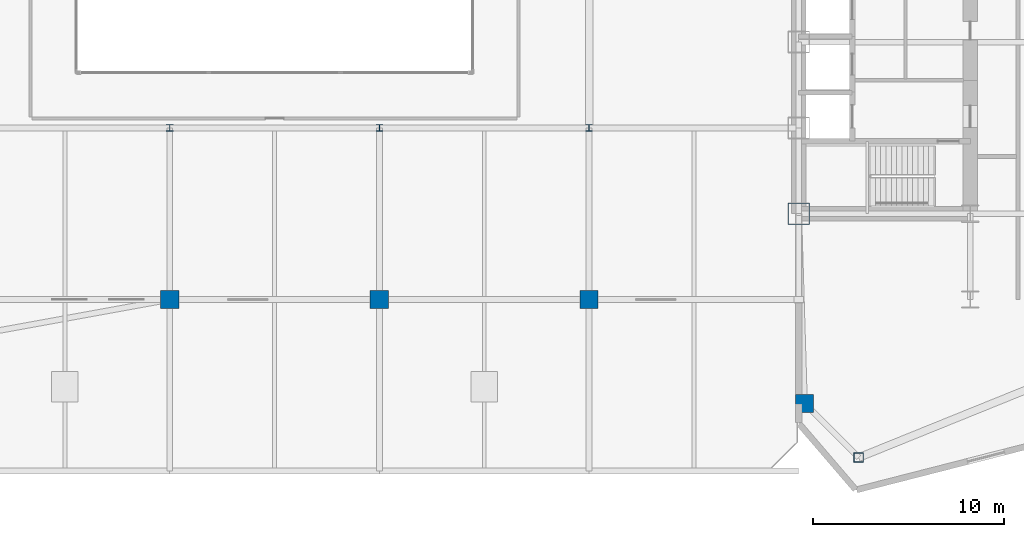
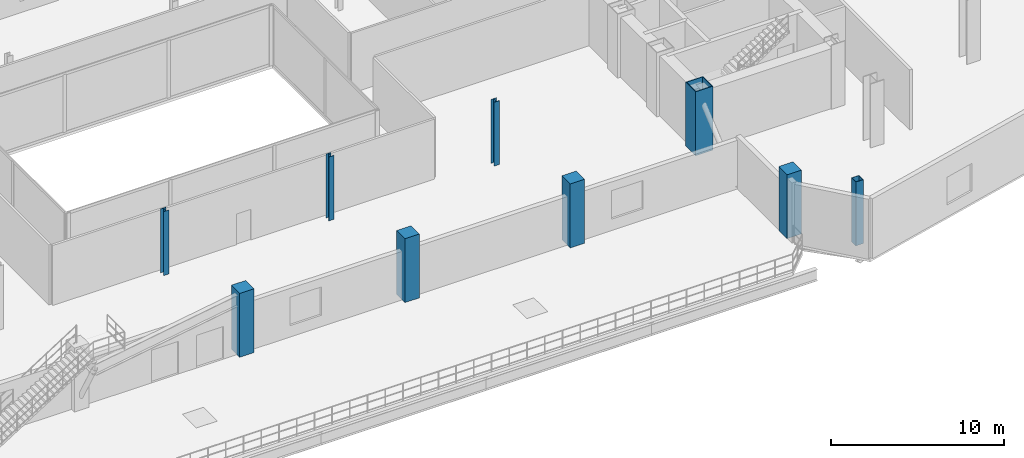
# One storey, part 5 of 27: 9 columns.
"""IFC4 building model written with IfcOpenShell, lengths in metres."""

from ifc_helpers import new_model, si_unit, direction, frame, origin, origin_2d, place, context, subcontext, project, spatial, rectangle, hollow_rectangle, i_section, extrude, source, transform, mapped, material, material_profile, profile_set, type_object, type_shapes, element, save


model = new_model("IFC4")

# Units and contexts
model_context = context("Model", 3, precision=1e-05, world=origin(), true_north=direction((0.0, 1.0)))
body_context = subcontext(model_context, "Body", "Model", "MODEL_VIEW")
ifc_project = project(units=[si_unit("LENGTHUNIT", "METRE"), si_unit("AREAUNIT", "SQUARE_METRE"), si_unit("VOLUMEUNIT", "CUBIC_METRE"), si_unit("PLANEANGLEUNIT", "RADIAN"), si_unit("MASSUNIT", "GRAM", prefix="KILO")], contexts=[model_context])

# Site, building, storey
site_placement = place(None, origin())
site = spatial("IfcSite", under=ifc_project, at=site_placement, CompositionType="ELEMENT")
building_placement = place(site_placement, origin())
building = spatial("IfcBuilding", under=site, at=building_placement, Name="Seokmaru Belvedere", CompositionType="ELEMENT")
storey_placement = place(building_placement, frame((0.0, 0.0, 9.89990234375)))
storey = spatial("IfcBuildingStorey", under=building, at=storey_placement, Name="L02", CompositionType="ELEMENT", Elevation=9.89990234375)

# Columns
ifc_material_1 = material(Name="Steel HSA650 (650 MPa)", Category="steel")
ifc_material_profile_1 = material_profile(ifc_material_1, hollow_rectangle(XDim=1.14990234375, YDim=1.14990234375, WallThickness=0.048095703125, at=origin_2d()), Name="BOX-1150x1150x48")
ifc_profile_set_1 = profile_set([ifc_material_profile_1], Name="Steel HSA650 (650 MPa)")
column_type_1 = type_object("IfcColumnType", Name="Portal Spine Column BOX-1150", PredefinedType="COLUMN", material=ifc_profile_set_1)
shared_shape_1 = source(origin(), body_context, "Body", "SweptSolid", [
    extrude(hollow_rectangle(XDim=1.14990234375, YDim=1.14990234375, WallThickness=0.048095703125, at=origin_2d()), origin(), (0.0, 0.0, 1.0), 4.5),
])
type_shapes(column_type_1, [shared_shape_1])
column_1_placement = place(storey_placement, frame((27.5, -13.5, 0.0), z_axis=(0.0, 0.0, 1.0), x_axis=(1.0, 0.0, 0.0)))
element("IfcColumn", 1, at=column_1_placement, inside=storey, type_object=column_type_1, Name="L02 Column ES1", PredefinedType="COLUMN", context=body_context, shape_type="MappedRepresentation", body=[
    mapped(shared_shape_1, transform((0.0, 0.0, 0.0), scale=1.0)),
])
ifc_material_2 = material(Name="Steel SM355 (355 MPa)", Category="steel")
ifc_material_profile_2 = material_profile(ifc_material_2, hollow_rectangle(XDim=0.5, YDim=0.5, WallThickness=0.02001953125, at=origin_2d()), Name="HSS-500x500x20")
ifc_profile_set_2 = profile_set([ifc_material_profile_2], Name="Steel SM355 (355 MPa)")
column_type_2 = type_object("IfcColumnType", Name="Perimeter Facet Column HSS-500", PredefinedType="COLUMN", material=ifc_profile_set_2)
shared_shape_2 = source(origin(), body_context, "Body", "SweptSolid", [
    extrude(hollow_rectangle(XDim=0.5, YDim=0.5, WallThickness=0.02001953125, at=origin_2d()), origin(), (0.0, 0.0, 1.0), 4.5),
])
type_shapes(column_type_2, [shared_shape_2])
column_2_placement = place(storey_placement, frame((30.643310546875, -26.294677734375, 0.0), z_axis=(0.0, 0.0, 1.0), x_axis=(1.0, 0.0, 0.0)))
element("IfcColumn", 2, at=column_2_placement, inside=storey, type_object=column_type_2, Name="L02 Column EF1", PredefinedType="COLUMN", context=body_context, shape_type="MappedRepresentation", body=[
    mapped(shared_shape_2, transform((0.0, 0.0, 0.0), scale=1.0)),
])
ifc_material_profile_3 = material_profile(ifc_material_2, i_section(OverallWidth=0.35009765625, OverallDepth=0.35009765625, WebThickness=0.011962890625, FlangeThickness=0.01904296875, at=origin_2d()), Name="H-350x350x12x19")
ifc_profile_set_3 = profile_set([ifc_material_profile_3], Name="Steel SM355 (355 MPa)")
column_type_3 = type_object("IfcColumnType", Name="Podium Gallery Column H-350", PredefinedType="COLUMN", material=ifc_profile_set_3)
shared_shape_3 = source(origin(), body_context, "Body", "SweptSolid", [
    extrude(i_section(OverallWidth=0.35009765625, OverallDepth=0.35009765625, WebThickness=0.011962890625, FlangeThickness=0.01904296875, at=origin_2d()), origin(), (0.0, 0.0, 1.0), 4.5),
])
type_shapes(column_type_3, [shared_shape_3])
for number, where, z_axis, x_axis, name in (
    (3, (-5.5, -9.0, 0.0), (0.0, 0.0, 1.0), (1.0, 0.0, 0.0), "L02 Column CP2_3"),
    (4, (5.5, -9.0, 0.0), (0.0, 0.0, 1.0), (1.0, 0.0, 0.0), "L02 Column CP3_3"),
    (5, (16.5, -9.0, 0.0), (0.0, 0.0, 1.0), (1.0, 0.0, 0.0), "L02 Column CP4_3"),
):
    element("IfcColumn", number, at=place(storey_placement, frame(where, z_axis=z_axis, x_axis=x_axis)), inside=storey, type_object=column_type_3, Name=name, PredefinedType="COLUMN", context=body_context, shape_type="MappedRepresentation", body=[
        mapped(shared_shape_3, transform((0.0, 0.0, 0.0), scale=1.0)),
    ])
ifc_material_3 = material(Name="Concrete C50 (50 MPa)", Category="concrete")
ifc_material_profile_4 = material_profile(ifc_material_3, rectangle(XDim=0.9599609375, YDim=0.9599609375, at=origin_2d()), Name="RC-960x960")
ifc_profile_set_4 = profile_set([ifc_material_profile_4], Name="Concrete C50 (50 MPa)")
column_type_4 = type_object("IfcColumnType", Name="Upper Podium Terrace Column RC-960", PredefinedType="COLUMN", material=ifc_profile_set_4)
shared_shape_4 = source(origin(), body_context, "Body", "SweptSolid", [
    extrude(rectangle(XDim=0.9599609375, YDim=0.9599609375, at=origin_2d()), origin(), (0.0, 0.0, 1.0), 4.5),
])
type_shapes(column_type_4, [shared_shape_4])
for number, where, z_axis, x_axis, name in (
    (6, (27.800048828125, -23.451416015625, 0.0), (0.0, 0.0, 1.0), (1.0, 0.0, 0.0), "L02 Column EPM_S"),
    (7, (-5.5, -18.0, 0.0), (0.0, 0.0, 1.0), (1.0, 0.0, 0.0), "L02 Column CP2_2"),
    (8, (5.5, -18.0, 0.0), (0.0, 0.0, 1.0), (1.0, 0.0, 0.0), "L02 Column CP3_2"),
    (9, (16.5, -18.0, 0.0), (0.0, 0.0, 1.0), (1.0, 0.0, 0.0), "L02 Column CP4_2"),
):
    element("IfcColumn", number, at=place(storey_placement, frame(where, z_axis=z_axis, x_axis=x_axis)), inside=storey, type_object=column_type_4, Name=name, PredefinedType="COLUMN", context=body_context, shape_type="MappedRepresentation", body=[
        mapped(shared_shape_4, transform((0.0, 0.0, 0.0), scale=1.0)),
    ])

save(model, "model.ifc")
